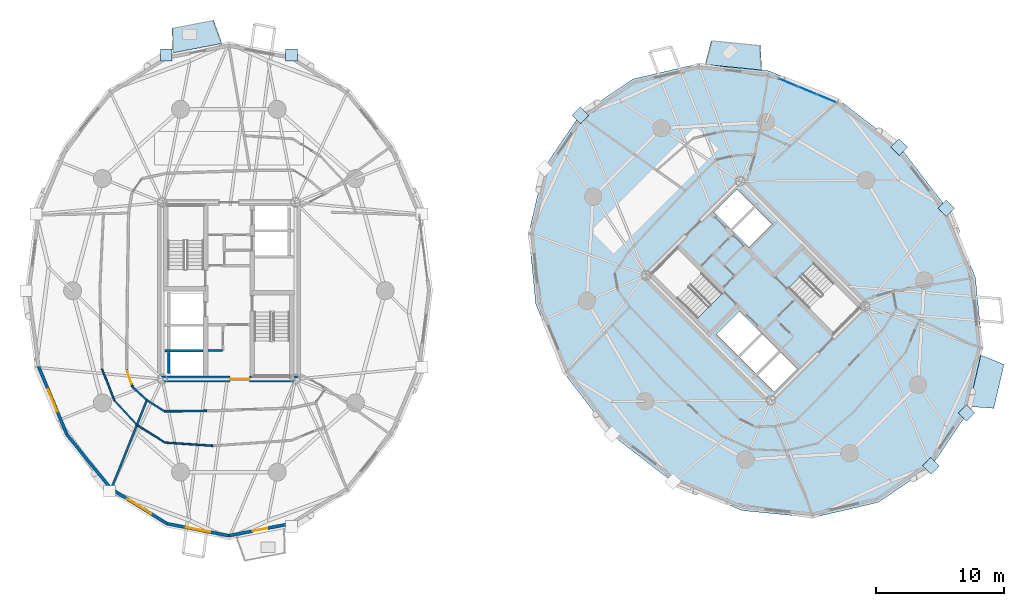
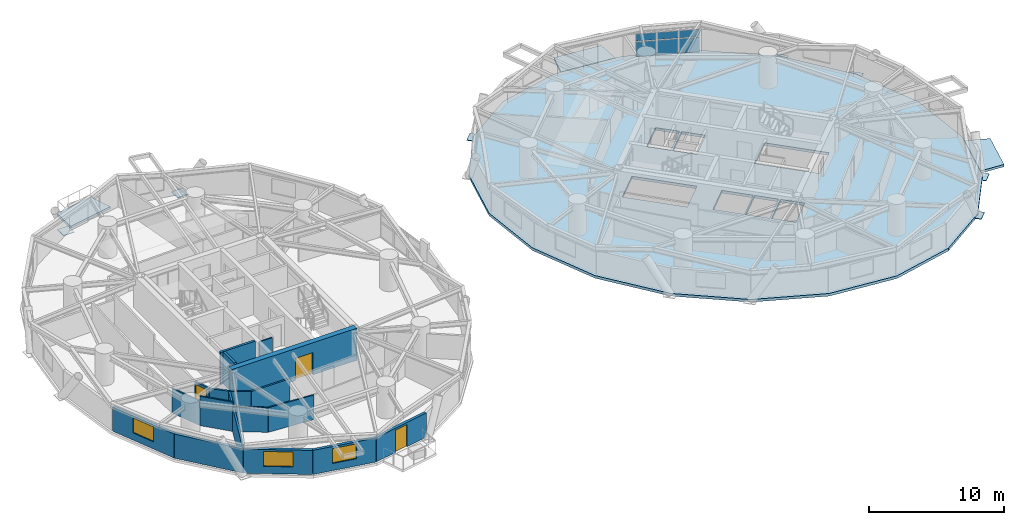
# One storey, part 9 of 18: 18 walls, 13 plates, 4 slabs, 3 doors, 3 windows, 6 openings, 1 element without a shape of its own.
"""IFC4 building model written with IfcOpenShell, lengths in metres."""

import ifcopenshell
import ifcopenshell.guid

model = None  # the IFC model being written
_history = None  # IfcOwnerHistory: only IFC2X3 demands one
_inside = {}  # id of a spatial element -> (the spatial element, [elements in it])
_under = {}  # id of a project, library or spatial element -> (it, [spatial elements below it])
_declared = {}  # id of a project -> (the project, [libraries it declares])
_typed = {}  # id of a type object -> (the type object, [elements of that type])
_made_of = {}  # id of a material, layer set ... -> (it, [elements and type objects made of it])


def new_model(schema):
    """Start an empty IFC model of exactly this schema.

    Asked for "IFC4X3", IfcOpenShell would pick the latest addendum, in which some entities
    have other attributes; the version numbers below select the first issue.
    IFC2X3 requires an IfcOwnerHistory on every rooted entity: one is made here for all.
    """
    global model, _history
    if schema == "IFC4X3":
        model = ifcopenshell.file(schema_version=(4, 3, 0, 0))
    else:
        model = ifcopenshell.file(schema=schema)
    _inside.clear()
    _under.clear()
    _declared.clear()
    _typed.clear()
    _made_of.clear()
    _history = None
    if model.schema == "IFC2X3":
        org = make("IfcOrganization", Name="unknown")
        user = make(
            "IfcPersonAndOrganization",
            ThePerson=make("IfcPerson", FamilyName="unknown"),
            TheOrganization=org,
        )
        app = make(
            "IfcApplication",
            ApplicationDeveloper=org,
            Version="unknown",
            ApplicationFullName="unknown",
            ApplicationIdentifier="unknown",
        )
        _history = make(
            "IfcOwnerHistory",
            OwningUser=user,
            OwningApplication=app,
            ChangeAction="ADDED",
            CreationDate=0,
        )
    return model


def make(cls, **values):
    """One entity of the class cls with the attributes given. An attribute that is None is left unset."""
    return model.create_entity(
        cls, **{name: value for name, value in values.items() if value is not None}
    )


def rooted(cls, **values):
    """An entity with a GlobalId (a new one), such as an element, a storey or a relation."""
    return make(cls, GlobalId=ifcopenshell.guid.new(), OwnerHistory=_history, **values)


def si_unit(unit_type, name, prefix=None):
    """IfcSIUnit, for example si_unit("LENGTHUNIT", "METRE", prefix="MILLI")."""
    return make("IfcSIUnit", UnitType=unit_type, Prefix=prefix, Name=name)


def assignment(units):
    """IfcUnitAssignment: the units of a project."""
    return None if units is None else make("IfcUnitAssignment", Units=units)


def point(xyz):
    """IfcCartesianPoint."""
    return None if xyz is None else make("IfcCartesianPoint", Coordinates=xyz)


def direction(xyz):
    """IfcDirection."""
    return None if xyz is None else make("IfcDirection", DirectionRatios=xyz)


def frame(location, z_axis=None, x_axis=None):
    """IfcAxis2Placement3D, a coordinate frame: its origin and axes. An axis left out is left unset."""
    return make(
        "IfcAxis2Placement3D",
        Location=point(location),
        Axis=direction(z_axis),
        RefDirection=direction(x_axis),
    )


def frame_2d(location, x_axis=None):
    """IfcAxis2Placement2D, a coordinate frame in the plane: its origin and x axis."""
    return make(
        "IfcAxis2Placement2D", Location=point(location), RefDirection=direction(x_axis)
    )


def origin():
    """The frame at (0, 0, 0) with its axes left unset."""
    return frame((0.0, 0.0, 0.0))


def origin_2d():
    """The frame at (0, 0) in the plane with its x axis left unset."""
    return frame_2d((0.0, 0.0))


def place(relative_to, where):
    """IfcLocalPlacement: puts the frame where relative to a parent placement (None: the world)."""
    return make(
        "IfcLocalPlacement", PlacementRelTo=relative_to, RelativePlacement=where
    )


def context(
    kind, dimensions, precision=None, world=None, true_north=None, identifier=None
):
    """IfcGeometricRepresentationContext, for example the 3D "Model" context."""
    return make(
        "IfcGeometricRepresentationContext",
        ContextIdentifier=identifier,
        ContextType=kind,
        CoordinateSpaceDimension=dimensions,
        Precision=precision,
        WorldCoordinateSystem=world,
        TrueNorth=true_north,
    )


def subcontext(parent, identifier, kind, view, scale=None):
    """IfcGeometricRepresentationSubContext, for example "Body" below "Model"."""
    return make(
        "IfcGeometricRepresentationSubContext",
        ContextIdentifier=identifier,
        ContextType=kind,
        ParentContext=parent,
        TargetScale=scale,
        TargetView=view,
    )


def project(units=None, contexts=None):
    """IfcProject with its units and contexts."""
    return rooted(
        "IfcProject",
        Name="project",
        RepresentationContexts=contexts,
        UnitsInContext=assignment(units),
    )


def spatial(cls, under=None, at=None, **own):
    """A site, building, storey or space (cls), placed at a placement, below another one or the project."""
    s = rooted(cls, ObjectPlacement=at, **own)
    if under is not None:
        _under.setdefault(under.id(), (under, []))[1].append(s)
    return s


def polyline(points):
    """IfcPolyline through the points."""
    return make("IfcPolyline", Points=[point(p) for p in points])


def profile(cls, at=None, kind="AREA", **sizes):
    """A parametric profile (cls). Its sizes go by their IFC names, for example OverallWidth=200.0."""
    return make(cls, ProfileType=kind, Position=at, **sizes)


def rectangle(**sizes):
    """IfcRectangleProfileDef."""
    return profile("IfcRectangleProfileDef", **sizes)


def outline(outer, holes=None, kind="AREA"):
    """IfcArbitraryClosedProfileDef: a profile drawn as a closed curve; with holes, ...WithVoids."""
    if holes is None:
        return make("IfcArbitraryClosedProfileDef", ProfileType=kind, OuterCurve=outer)
    return make(
        "IfcArbitraryProfileDefWithVoids",
        ProfileType=kind,
        OuterCurve=outer,
        InnerCurves=holes,
    )


def extrude(swept, where, along, depth):
    """IfcExtrudedAreaSolid: the profile swept, set in the frame where, extruded along a direction by depth."""
    return make(
        "IfcExtrudedAreaSolid",
        SweptArea=swept,
        Position=where,
        ExtrudedDirection=direction(along),
        Depth=depth,
    )


def shape(context_of_items, identifier, shape_type, items):
    """IfcShapeRepresentation: the items that make up one representation, for example the "Body"."""
    return make(
        "IfcShapeRepresentation",
        ContextOfItems=context_of_items,
        RepresentationIdentifier=identifier,
        RepresentationType=shape_type,
        Items=items,
    )


def source(mapping_origin, context_of_items, identifier, shape_type, items):
    """IfcRepresentationMap: a shape defined once, which mapped items show again and again."""
    return make(
        "IfcRepresentationMap",
        MappingOrigin=mapping_origin,
        MappedRepresentation=shape(context_of_items, identifier, shape_type, items),
    )


def transform(
    local_origin,
    x_axis=None,
    y_axis=None,
    z_axis=None,
    scale=None,
    scale2=None,
    scale3=None,
    uniform=True,
):
    """IfcCartesianTransformationOperator3D, or its non-uniform kind. x_axis, y_axis, z_axis: its Axis1, 2, 3."""
    if uniform:
        return make(
            "IfcCartesianTransformationOperator3D",
            Axis1=direction(x_axis),
            Axis2=direction(y_axis),
            LocalOrigin=point(local_origin),
            Scale=scale,
            Axis3=direction(z_axis),
        )
    return make(
        "IfcCartesianTransformationOperator3DnonUniform",
        Axis1=direction(x_axis),
        Axis2=direction(y_axis),
        LocalOrigin=point(local_origin),
        Scale=scale,
        Axis3=direction(z_axis),
        Scale2=scale2,
        Scale3=scale3,
    )


def mapped(mapping_source, mapping_target):
    """IfcMappedItem: shows the shape of a source again, moved by a transform."""
    return make(
        "IfcMappedItem", MappingSource=mapping_source, MappingTarget=mapping_target
    )


def material(Name=None, Category=None):
    """IfcMaterial."""
    return make("IfcMaterial", Name=Name, Category=Category)


def layer(
    of_material, thickness, ventilated=None, Name=None, Category=None, Priority=None
):
    """IfcMaterialLayer: one layer of a wall or slab, of a material (None: an air gap)."""
    return make(
        "IfcMaterialLayer",
        Material=of_material,
        LayerThickness=thickness,
        IsVentilated=ventilated,
        Name=Name,
        Category=Category,
        Priority=Priority,
    )


def layer_set(layers, Name=None):
    """IfcMaterialLayerSet."""
    return make("IfcMaterialLayerSet", MaterialLayers=layers, LayerSetName=Name)


def made_of(thing, what):
    """Note that an element or type object is made of a material, layer set ...; save() writes the relation."""
    if what is not None:
        _made_of.setdefault(what.id(), (what, []))[1].append(thing)
    return thing


def type_object(cls, material=None, **own):
    """A type object (cls), such as IfcWallType, which elements share."""
    return made_of(rooted(cls, **own), material)


def element(
    cls,
    number,
    at=None,
    inside=None,
    cuts=None,
    type_object=None,
    material=None,
    context=None,
    identifier="Body",
    shape_type=None,
    held_by="IfcProductDefinitionShape",
    body=None,
    shapes=None,
    **own,
):
    """One element of the class cls, such as IfcWall. Its Tag is "e" and its number.

    at: its placement. inside: the storey or other place that contains it. cuts: it is an
    opening in that element (IfcRelVoidsElement). A single representation is given by context,
    identifier, shape_type and body (its items); several are given by shapes. held_by: the class
    of the entity that holds the representations. save() writes the other relations.
    """
    e = rooted(cls, Tag="e%d" % number, ObjectPlacement=at, **own)
    if body is not None:
        shapes = [shape(context, identifier, shape_type, body)]
    if shapes is not None:
        e.Representation = make(held_by, Representations=shapes)
    if inside is not None:
        _inside.setdefault(inside.id(), (inside, []))[1].append(e)
    if cuts is not None:
        rooted(
            "IfcRelVoidsElement", RelatingBuildingElement=cuts, RelatedOpeningElement=e
        )
    if type_object is not None:
        _typed.setdefault(type_object.id(), (type_object, []))[1].append(e)
    return made_of(e, material)


def fill(opening, filler):
    """IfcRelFillsElement: the door or window that sits in an opening."""
    return rooted(
        "IfcRelFillsElement",
        RelatingOpeningElement=opening,
        RelatedBuildingElement=filler,
    )


def aggregate(whole, parts):
    """IfcRelAggregates: a whole, such as a stair, and the parts it consists of."""
    return rooted("IfcRelAggregates", RelatingObject=whole, RelatedObjects=parts)


def save(model, path):
    """Write the relations noted so far, then the file.

    IfcRelAggregates (storeys below a building ...), IfcRelContainedInSpatialStructure (elements
    in a storey), IfcRelDefinesByType, IfcRelAssociatesMaterial and IfcRelDeclares: one each for
    every whole, place, type object, material and project.
    """
    for whole, parts in _under.values():
        aggregate(whole, parts)
    for where, things in _inside.values():
        rooted(
            "IfcRelContainedInSpatialStructure",
            RelatedElements=things,
            RelatingStructure=where,
        )
    for kind, things in _typed.values():
        rooted("IfcRelDefinesByType", RelatedObjects=things, RelatingType=kind)
    for what, things in _made_of.values():
        rooted("IfcRelAssociatesMaterial", RelatedObjects=things, RelatingMaterial=what)
    for by, libraries in _declared.values():
        rooted("IfcRelDeclares", RelatingContext=by, RelatedDefinitions=libraries)
    model.write(path)


model = new_model("IFC4")

# Units and contexts
model_context = context("Model", 3, precision=1e-05, world=origin(), true_north=direction((0.0, 1.0)))
body_context = subcontext(model_context, "Body", "Model", "MODEL_VIEW")
ifc_project = project(units=[si_unit("LENGTHUNIT", "METRE"), si_unit("AREAUNIT", "SQUARE_METRE"), si_unit("VOLUMEUNIT", "CUBIC_METRE"), si_unit("PLANEANGLEUNIT", "RADIAN"), si_unit("MASSUNIT", "GRAM", prefix="KILO")], contexts=[model_context])

# Site, building, storey
site_placement = place(None, origin())
site = spatial("IfcSite", under=ifc_project, at=site_placement, CompositionType="ELEMENT")
building_placement = place(site_placement, origin())
building = spatial("IfcBuilding", under=site, at=building_placement, Name="Cununo Teusaquillo Station Towers", CompositionType="ELEMENT")
storey_placement = place(building_placement, frame((0.0, 0.0, 110.889892578125)))
storey = spatial("IfcBuildingStorey", under=building, at=storey_placement, Name="L35", CompositionType="ELEMENT", Elevation=110.889892578125)

# Slabs
ifc_material_1 = material(Name="Concrete C50/60", Category="concrete")
ifc_layer_1 = layer(ifc_material_1, 0.2099609375)
ifc_layer_set_1 = layer_set([ifc_layer_1], Name="Concrete C50/60")
slab_type_1 = type_object("IfcSlabType", Name="SLB-BAL-210", PredefinedType="FLOOR", material=ifc_layer_set_1)
slab_1_placement = place(storey_placement, frame((0.0, 0.0, -0.2099609375)))
element("IfcSlab", 1, at=slab_1_placement, inside=storey, type_object=slab_type_1, Name="L35 Tower A Tree Balcony Slab 1", PredefinedType="FLOOR", context=body_context, shape_type="SweptSolid", body=[
    extrude(outline(polyline([(15.958984375, 43.75048828125), (12.1376953125, 43.01220703125), (12.069091796875, 44.94921875), (15.30126953125, 45.573974609375), (15.958984375, 43.75048828125)])), origin(), (0.0, 0.0, 1.0), 0.2099609375),
])
slab_2_placement = place(storey_placement, frame((0.0, 0.0, -0.2099609375)))
element("IfcSlab", 2, at=slab_2_placement, inside=storey, type_object=slab_type_1, Name="L35 Tower B Tree Balcony Slab 1", PredefinedType="FLOOR", context=body_context, shape_type="SweptSolid", body=[
    extrude(outline(polyline([(57.984375, 41.675048828125), (53.57080078125, 42.1123046875), (54.05810546875, 43.988525390625), (57.87451171875, 43.6103515625), (57.984375, 41.675048828125)])), origin(), (0.0, 0.0, 1.0), 0.2099609375),
])
slab_3_placement = place(storey_placement, frame((0.0, 0.0, -0.2099609375)))
element("IfcSlab", 3, at=slab_3_placement, inside=storey, type_object=slab_type_1, Name="L35 Tower B Tree Balcony Slab 2", PredefinedType="FLOOR", context=body_context, shape_type="SweptSolid", body=[
    extrude(outline(polyline([(74.1083984375, 15.4873046875), (75.04150390625, 19.486083984375), (76.83837890625, 18.7587890625), (76.04150390625, 15.344482421875), (74.1083984375, 15.4873046875)])), origin(), (0.0, 0.0, 1.0), 0.2099609375),
])
ifc_material_2 = material(Name="Concrete C40/50", Category="concrete")
ifc_layer_2 = layer(ifc_material_2, 0.239990234375)
ifc_layer_set_2 = layer_set([ifc_layer_2], Name="Concrete C40/50")
slab_type_2 = type_object("IfcSlabType", Name="SLB-Z2-240", PredefinedType="FLOOR", material=ifc_layer_set_2)
slab_4_placement = place(storey_placement, frame((0.0, 0.0, -0.239990234375)))
element("IfcSlab", 4, at=slab_4_placement, inside=storey, type_object=slab_type_2, Name="L35 Tower B Floor Slab", PredefinedType="FLOOR", context=body_context, shape_type="SweptSolid", body=[
    extrude(outline(polyline([(68.71533203125, 35.71533203125), (63.938232421875, 39.39453125), (58.531005859375, 41.61572265625), (53.02294921875, 42.16162109375), (47.952880859375, 40.978515625), (43.8173828125, 38.1826171875), (41.021484375, 34.047119140625), (39.83837890625, 28.97705078125), (40.38427734375, 23.468994140625), (42.60546875, 18.061767578125), (46.28466796875, 13.28466796875), (51.061767578125, 9.60546875), (56.468994140625, 7.38427734375), (61.97705078125, 6.83837890625), (67.047119140625, 8.021484375), (71.1826171875, 10.8173828125), (73.978515625, 14.952880859375), (75.16162109375, 20.02294921875), (74.61572265625, 25.531005859375), (72.39453125, 30.938232421875), (68.71533203125, 35.71533203125)]), holes=[polyline([(54.914794921875, 24.28515625), (51.390625, 27.809326171875), (49.43896484375, 25.857666015625), (52.963134765625, 22.33349609375), (54.914794921875, 24.28515625)]), polyline([(60.085205078125, 24.71484375), (63.609375, 21.190673828125), (65.56103515625, 23.142333984375), (62.036865234375, 26.66650390625), (60.085205078125, 24.71484375)]), polyline([(56.156494140625, 19.40869140625), (57.945556640625, 21.19775390625), (56.248291015625, 22.89501953125), (54.45947265625, 21.10595703125), (56.156494140625, 19.40869140625)]), polyline([(58.94970703125, 16.61572265625), (60.738525390625, 18.40478515625), (59.430419921875, 19.712890625), (57.641357421875, 17.923828125), (58.94970703125, 16.61572265625)]), polyline([(57.535400390625, 18.030029296875), (59.32421875, 19.819091796875), (58.01611328125, 21.127197265625), (56.227294921875, 19.338134765625), (57.535400390625, 18.030029296875)]), polyline([(56.98388671875, 27.872802734375), (58.772705078125, 29.661865234375), (57.464599609375, 30.969970703125), (55.67578125, 29.180908203125), (56.98388671875, 27.872802734375)]), polyline([(55.569580078125, 29.287109375), (57.358642578125, 31.076171875), (56.05029296875, 32.38427734375), (54.261474609375, 30.59521484375), (55.569580078125, 29.287109375)])]), origin(), (0.0, 0.0, 1.0), 0.239990234375),
])

# Plates
ifc_material_3 = material(Name="Steel ASTM A572 Grade 50", Category="steel")
ifc_layer_3 = layer(ifc_material_3, 0.050048828125)
ifc_layer_set_3 = layer_set([ifc_layer_3], Name="Steel ASTM A572 Grade 50")
plate_type_1 = type_object("IfcPlateType", Name="PLT-NODE-DN1", PredefinedType="USERDEFINED", material=ifc_layer_set_3)
shared_shape_1 = source(origin(), body_context, "Body", "SweptSolid", [
    extrude(rectangle(XDim=0.919921875, YDim=0.919921875, at=origin_2d()), origin(), (0.0, 0.0, 1.0), 0.050048828125),
])
for number, where, z_axis, x_axis, name in (
    (5, (21.3828125, 42.845947265625, -0.1650390625), (0.0, 0.0, 1.0), (1.0, 0.0, 0.0), "L35 Tower A Diagrid Node Assembly C03"),
    (6, (11.6171875, 42.845947265625, -0.1650390625), (0.0, 0.0, 1.0), (1.0, 0.0, 0.0), "L35 Tower A Diagrid Node Assembly C06"),
    (7, (68.673095703125, 35.673095703125, -0.1650390625), (0.0, 0.0, 1.0), (0.707106781187, 0.707106781187, 0.0), "L35 Tower B Diagrid Node Assembly C00"),
    (8, (43.85986328125, 38.14013671875, -0.1650390625), (0.0, 0.0, 1.0), (0.707106781187, 0.707106781187, 0.0), "L35 Tower B Diagrid Node Assembly C04"),
    (9, (71.14013671875, 10.85986328125, -0.1650390625), (0.0, 0.0, 1.0), (0.707106781187, 0.707106781187, 0.0), "L35 Tower B Diagrid Node Assembly C14"),
    (10, (73.92529296875, 14.980224609375, -0.1650390625), (0.0, 0.0, 1.0), (0.707106781187, 0.707106781187, 0.0), "L35 Tower B Diagrid Node Assembly C16"),
    (11, (72.341064453125, 30.9111328125, -0.1650390625), (0.0, 0.0, 1.0), (0.707106781187, 0.707106781187, 0.0), "L35 Tower B Diagrid Node Assembly C18"),
):
    element("IfcPlate", number, at=place(storey_placement, frame(where, z_axis=z_axis, x_axis=x_axis)), inside=storey, type_object=plate_type_1, Name=name, ObjectType="GUSSET PLATE", PredefinedType="USERDEFINED", context=body_context, shape_type="MappedRepresentation", body=[
        mapped(shared_shape_1, transform((0.0, 0.0, 0.0), x_axis=(1.0, 0.0, 0.0), y_axis=(0.0, 1.0, 0.0), z_axis=(0.0, 0.0, 1.0), scale=1.0)),
    ])

# Curtain wall, plates
ifc_material_4 = material(Name="Ceramic-fritted dark low-E double glazing", Category="glass")
ifc_layer_4 = layer(ifc_material_4, 0.179931640625)
ifc_layer_set_4 = layer_set([ifc_layer_4], Name="Ceramic-fritted dark low-E double glazing")
curtain_wall_type = type_object("IfcCurtainWallType", Name="CW-SYS-04", PredefinedType="USERDEFINED", material=ifc_layer_set_4)
curtain_wall_placement = place(storey_placement, origin())
curtain_wall = element("IfcCurtainWall", 12, at=curtain_wall_placement, inside=storey, type_object=curtain_wall_type, Name="L35 Tower B Facade Curtain Wall C01", ObjectType="FRITTED GLAZING", PredefinedType="USERDEFINED")
ifc_material_5 = material(Name="Ceramic-fritted dark low-E double glazing", Category="glass")
ifc_layer_5 = layer(ifc_material_5, 0.028076171875)
ifc_layer_set_5 = layer_set([ifc_layer_5], Name="Ceramic-fritted dark low-E double glazing")
plate_type_2 = type_object("IfcPlateType", Name="CWP-FRIT-28", PredefinedType="CURTAIN_PANEL", material=ifc_layer_set_5)
shared_shape_2 = source(origin(), body_context, "Body", "SweptSolid", [
    extrude(rectangle(XDim=1.531005859375, YDim=0.028076171875, at=origin_2d()), origin(), (0.0, 0.0, 1.0), 1.31103515625),
])
plate_1_placement = place(storey_placement, frame((60.045654296875, 40.697021484375, 0.070068359375), z_axis=(0.0, 0.0, 1.0), x_axis=(0.924562443652, -0.381030560176, 0.0)))
plate_1 = element("IfcPlate", 13, at=plate_1_placement, type_object=plate_type_2, Name="CW-04 panel 1.1", PredefinedType="CURTAIN_PANEL", context=body_context, shape_type="MappedRepresentation", body=[
    mapped(shared_shape_2, transform((0.0, 0.0, 0.0), x_axis=(1.0, 0.0, 0.0), y_axis=(0.0, 1.0, 0.0), z_axis=(0.0, 0.0, 1.0), scale=1.0)),
])
plate_2_placement = place(storey_placement, frame((63.03857421875, 39.463623046875, 0.070068359375), z_axis=(0.0, 0.0, 1.0), x_axis=(0.924562443652, -0.381030560176, 0.0)))
plate_2 = element("IfcPlate", 14, at=plate_2_placement, type_object=plate_type_2, Name="CW-04 panel 3.1", PredefinedType="CURTAIN_PANEL", context=body_context, shape_type="MappedRepresentation", body=[
    mapped(shared_shape_2, transform((0.0, 0.0, 0.0), x_axis=(1.0, 0.0, 0.0), y_axis=(0.0, 1.0, 0.0), z_axis=(0.0, 0.0, 1.0), scale=1.0)),
])
shared_shape_3 = source(origin(), body_context, "Body", "SweptSolid", [
    extrude(rectangle(XDim=1.531005859375, YDim=0.028076171875, at=origin_2d()), origin(), (0.0, 0.0, 1.0), 0.657958984375),
])
plate_3_placement = place(storey_placement, frame((60.045654296875, 40.697021484375, 1.451171875), z_axis=(0.0, 0.0, 1.0), x_axis=(0.924562443652, -0.381030560176, 0.0)))
plate_3 = element("IfcPlate", 15, at=plate_3_placement, type_object=plate_type_2, Name="CW-04 panel 1.2", PredefinedType="CURTAIN_PANEL", context=body_context, shape_type="MappedRepresentation", body=[
    mapped(shared_shape_3, transform((0.0, 0.0, 0.0), x_axis=(1.0, 0.0, 0.0), y_axis=(0.0, 1.0, 0.0), z_axis=(0.0, 0.0, 1.0), scale=1.0)),
])
plate_4_placement = place(storey_placement, frame((63.03857421875, 39.463623046875, 1.451171875), z_axis=(0.0, 0.0, 1.0), x_axis=(0.924562443652, -0.381030560176, 0.0)))
plate_4 = element("IfcPlate", 16, at=plate_4_placement, type_object=plate_type_2, Name="CW-04 panel 3.2", PredefinedType="CURTAIN_PANEL", context=body_context, shape_type="MappedRepresentation", body=[
    mapped(shared_shape_3, transform((0.0, 0.0, 0.0), x_axis=(1.0, 0.0, 0.0), y_axis=(0.0, 1.0, 0.0), z_axis=(0.0, 0.0, 1.0), scale=1.0)),
])
shared_shape_4 = source(origin(), body_context, "Body", "SweptSolid", [
    extrude(rectangle(XDim=1.566162109375, YDim=0.028076171875, at=origin_2d()), origin(), (0.0, 0.0, 1.0), 1.31103515625),
])
plate_5_placement = place(storey_placement, frame((61.542236328125, 40.080322265625, 0.070068359375), z_axis=(0.0, 0.0, 1.0), x_axis=(0.924562443652, -0.381030560176, 0.0)))
plate_5 = element("IfcPlate", 17, at=plate_5_placement, type_object=plate_type_2, Name="CW-04 panel 2.1", PredefinedType="CURTAIN_PANEL", context=body_context, shape_type="MappedRepresentation", body=[
    mapped(shared_shape_4, transform((0.0, 0.0, 0.0), x_axis=(1.0, 0.0, 0.0), y_axis=(0.0, 1.0, 0.0), z_axis=(0.0, 0.0, 1.0), scale=1.0)),
])
shared_shape_5 = source(origin(), body_context, "Body", "SweptSolid", [
    extrude(rectangle(XDim=1.566162109375, YDim=0.028076171875, at=origin_2d()), origin(), (0.0, 0.0, 1.0), 0.657958984375),
])
plate_6_placement = place(storey_placement, frame((61.542236328125, 40.080322265625, 1.451171875), z_axis=(0.0, 0.0, 1.0), x_axis=(0.924562443652, -0.381030560176, 0.0)))
plate_6 = element("IfcPlate", 18, at=plate_6_placement, type_object=plate_type_2, Name="CW-04 panel 2.2", PredefinedType="CURTAIN_PANEL", context=body_context, shape_type="MappedRepresentation", body=[
    mapped(shared_shape_5, transform((0.0, 0.0, 0.0), x_axis=(1.0, 0.0, 0.0), y_axis=(0.0, 1.0, 0.0), z_axis=(0.0, 0.0, 1.0), scale=1.0)),
])
aggregate(curtain_wall, [plate_1, plate_3, plate_5, plate_6, plate_2, plate_4])

# Walls
ifc_material_6 = material(Name="Concrete C50/60", Category="concrete")
ifc_layer_6 = layer(ifc_material_6, 0.199951171875)
ifc_layer_set_6 = layer_set([ifc_layer_6], Name="Concrete C50/60")
wall_type_1 = type_object("IfcWallType", Name="WL-CORE-200", PredefinedType="SHEAR", material=ifc_layer_set_6)
wall_1_placement = place(storey_placement, frame((11.52001953125, 19.824951171875, 0.0), z_axis=(0.0, 0.0, 1.0), x_axis=(1.0, 0.0, 0.0)))
element("IfcWall", 19, at=wall_1_placement, inside=storey, type_object=wall_type_1, Name="L35 Tower A High-Rise Lift Hoistway Divider Shear Wall", PredefinedType="SHEAR", context=body_context, shape_type="SweptSolid", body=[
    extrude(rectangle(XDim=2.969970703125, YDim=0.199951171875, at=frame_2d((1.48486328125, 0.0))), origin(), (0.0, 0.0, 1.0), 2.91015625),
])
wall_2_placement = place(storey_placement, frame((11.820068359375, 18.070068359375, 0.0), z_axis=(0.0, 0.0, 1.0), x_axis=(0.0, 1.0, 0.0)))
element("IfcWall", 20, at=wall_2_placement, inside=storey, type_object=wall_type_1, Name="L35 Tower A High-Rise Lift 1 Shaft Rear Shear Wall", PredefinedType="SHEAR", context=body_context, shape_type="SweptSolid", body=[
    extrude(rectangle(XDim=1.635009765625, YDim=0.199951171875, at=frame_2d((0.8173828125, 0.0))), origin(), (0.0, 0.0, 1.0), 2.91015625),
])

# Wall, opening, door
ifc_material_7 = material(Name="Concrete C60/75", Category="concrete")
ifc_layer_7 = layer(ifc_material_7, 0.449951171875)
ifc_layer_set_7 = layer_set([ifc_layer_7], Name="Concrete C60/75")
wall_type_2 = type_object("IfcWallType", Name="WL-CORE-450", PredefinedType="SHEAR", material=ifc_layer_set_7)
wall_3_placement = place(storey_placement, frame((11.14990234375, 17.625, 0.0), z_axis=(0.0, 0.0, 1.0), x_axis=(1.0, 0.0, 0.0)))
wall_3 = element("IfcWall", 21, at=wall_3_placement, inside=storey, type_object=wall_type_2, Name="L35 Tower A Core Shear Wall S", PredefinedType="SHEAR", context=body_context, shape_type="SweptSolid", body=[
    extrude(rectangle(XDim=10.7001953125, YDim=0.449951171875, at=frame_2d((5.35009765625, 0.0))), origin(), (0.0, 0.0, 1.0), 2.91015625),
])
shared_shape_6 = source(origin(), body_context, "Body", "SweptSolid", [
    extrude(rectangle(XDim=1.5, YDim=2.02001953125, at=frame_2d((0.75, 1.010009765625))), frame((0.0, 0.23486328125, 0.0), z_axis=(0.0, -1.0, 0.0), x_axis=(1.0, 0.0, 0.0)), (0.0, 0.0, 1.0), 0.469970703125),
])
opening_1_placement = place(wall_3_placement, frame((5.449951171875, 0.0, 0.0)))
opening_1 = element("IfcOpeningElement", 22, at=opening_1_placement, cuts=wall_3, Name="Opening D-LB1", PredefinedType="OPENING", context=body_context, shape_type="MappedRepresentation", body=[
    mapped(shared_shape_6, transform((0.0, 0.0, 0.0), x_axis=(1.0, 0.0, 0.0), y_axis=(0.0, 1.0, 0.0), z_axis=(0.0, 0.0, 1.0), scale=1.0)),
])
ifc_material_8 = material(Name="Galvanised fire-rated hollow steel door assembly", Category="steel")
door_type_1 = type_object("IfcDoorType", Name="DR-LOBBY-1500", OperationType="DOUBLE_DOOR_SINGLE_SWING", PredefinedType="DOOR", material=ifc_material_8)
shared_shape_7 = source(origin(), body_context, "Body", "SweptSolid", [
    extrude(rectangle(XDim=1.5, YDim=2.02001953125, at=frame_2d((0.75, 1.010009765625))), frame((0.0, 0.02490234375, 0.0), z_axis=(0.0, -1.0, 0.0), x_axis=(1.0, 0.0, 0.0)), (0.0, 0.0, 1.0), 0.050048828125),
])
door_1_placement = place(opening_1_placement, origin())
door_1 = element("IfcDoor", 23, at=door_1_placement, inside=storey, type_object=door_type_1, Name="L35 Tower A South Core Lift Lobby Door", OperationType="DOUBLE_DOOR_SINGLE_SWING", OverallHeight=2.02001953125, OverallWidth=1.5, PredefinedType="DOOR", context=body_context, shape_type="MappedRepresentation", body=[
    mapped(shared_shape_7, transform((0.0, 0.0, 0.0), x_axis=(1.0, 0.0, 0.0), y_axis=(0.0, 1.0, 0.0), z_axis=(0.0, 0.0, 1.0), scale=1.0)),
])
fill(opening_1, door_1)

# Wall, opening, window
ifc_material_9 = material(Name="Precast concrete C40/50", Category="concrete")
ifc_layer_8 = layer(ifc_material_9, 0.239990234375)
ifc_layer_set_8 = layer_set([ifc_layer_8], Name="Precast concrete C40/50")
wall_type_3 = type_object("IfcWallType", Name="WL-EXT-240", PredefinedType="SOLIDWALL", material=ifc_layer_set_8)
wall_4_placement = place(storey_placement, frame((3.894775390625, 13.291015625, 0.0), z_axis=(0.0, 0.0, 1.0), x_axis=(-0.384344417632, 0.923189779317, 0.0)))
wall_4 = element("IfcWall", 24, at=wall_4_placement, inside=storey, type_object=wall_type_3, Name="L35 Tower A Exterior Facade Wall C11", PredefinedType="SOLIDWALL", context=body_context, shape_type="SweptSolid", body=[
    extrude(rectangle(XDim=5.75830078125, YDim=0.239990234375, at=frame_2d((2.879150390625, 0.0))), origin(), (0.0, 0.0, 1.0), 2.17919921875),
])
shared_shape_8 = source(origin(), body_context, "Body", "SweptSolid", [
    extrude(rectangle(XDim=1.89990234375, YDim=1.35009765625, at=frame_2d((0.949951171875, 0.675048828125))), frame((0.0, 0.1298828125, 0.0), z_axis=(0.0, -1.0, 0.0), x_axis=(1.0, 0.0, 0.0)), (0.0, 0.0, 1.0), 0.260009765625),
])
opening_2_placement = place(wall_4_placement, frame((1.928955078125, 0.0, 0.64990234375)))
opening_2 = element("IfcOpeningElement", 25, at=opening_2_placement, cuts=wall_4, Name="Opening WN-02", PredefinedType="OPENING", context=body_context, shape_type="MappedRepresentation", body=[
    mapped(shared_shape_8, transform((0.0, 0.0, 0.0), x_axis=(1.0, 0.0, 0.0), y_axis=(0.0, 1.0, 0.0), z_axis=(0.0, 0.0, 1.0), scale=1.0)),
])
ifc_material_10 = material(Name="Operable acoustic tinted low-E double glazing", Category="glass")
window_type_1 = type_object("IfcWindowType", Name="WIN-OPER-1900", PartitioningType="DOUBLE_PANEL_VERTICAL", PredefinedType="WINDOW", material=ifc_material_10)
shared_shape_9 = source(origin(), body_context, "Body", "SweptSolid", [
    extrude(rectangle(XDim=1.89990234375, YDim=1.35009765625, at=frame_2d((0.949951171875, 0.675048828125))), frame((0.0, 0.030029296875, 0.0), z_axis=(0.0, -1.0, 0.0), x_axis=(1.0, 0.0, 0.0)), (0.0, 0.0, 1.0), 0.06005859375),
])
window_1_placement = place(opening_2_placement, origin())
window_1 = element("IfcWindow", 26, at=window_1_placement, inside=storey, type_object=window_type_1, Name="L35 Tower A Facade Window C11", OverallHeight=1.35009765625, OverallWidth=1.89990234375, PartitioningType="DOUBLE_PANEL_VERTICAL", PredefinedType="WINDOW", context=body_context, shape_type="MappedRepresentation", body=[
    mapped(shared_shape_9, transform((0.0, 0.0, 0.0), x_axis=(1.0, 0.0, 0.0), y_axis=(0.0, 1.0, 0.0), z_axis=(0.0, 0.0, 1.0), scale=1.0)),
])
fill(opening_2, window_1)

# Wall
wall_5_placement = place(storey_placement, frame((7.341796875, 9.072021484375, 0.0), z_axis=(0.0, 0.0, 1.0), x_axis=(-0.632700781152, 0.77439635945, 0.0)))
element("IfcWall", 27, at=wall_5_placement, inside=storey, type_object=wall_type_3, Name="L35 Tower A Exterior Facade Wall C12", PredefinedType="SOLIDWALL", context=body_context, shape_type="SweptSolid", body=[
    extrude(rectangle(XDim=5.447998046875, YDim=0.239990234375, at=frame_2d((2.72412109375, 0.0))), origin(), (0.0, 0.0, 1.0), 2.17919921875),
])

# Wall, opening, window
wall_6_placement = place(storey_placement, frame((11.685302734375, 6.36328125, 0.0), z_axis=(0.0, 0.0, 1.0), x_axis=(-0.848520380187, 0.529162701263, 0.0)))
wall_6 = element("IfcWall", 28, at=wall_6_placement, inside=storey, type_object=wall_type_3, Name="L35 Tower A Exterior Facade Wall C13", PredefinedType="SOLIDWALL", context=body_context, shape_type="SweptSolid", body=[
    extrude(rectangle(XDim=5.118896484375, YDim=0.239990234375, at=frame_2d((2.5595703125, 0.0))), origin(), (0.0, 0.0, 1.0), 2.17919921875),
])
shared_shape_10 = source(origin(), body_context, "Body", "SweptSolid", [
    extrude(rectangle(XDim=2.199951171875, YDim=1.35009765625, at=frame_2d((1.10009765625, 0.675048828125))), frame((0.0, 0.1298828125, 0.0), z_axis=(0.0, -1.0, 0.0), x_axis=(1.0, 0.0, 0.0)), (0.0, 0.0, 1.0), 0.260009765625),
])
opening_3_placement = place(wall_6_placement, frame((1.458984375, 0.0, 0.64990234375)))
opening_3 = element("IfcOpeningElement", 29, at=opening_3_placement, cuts=wall_6, Name="Opening WN-01", PredefinedType="OPENING", context=body_context, shape_type="MappedRepresentation", body=[
    mapped(shared_shape_10, transform((0.0, 0.0, 0.0), x_axis=(1.0, 0.0, 0.0), y_axis=(0.0, 1.0, 0.0), z_axis=(0.0, 0.0, 1.0), scale=1.0)),
])
ifc_material_11 = material(Name="Ceramic-fritted dark low-E double glazing", Category="glass")
window_type_2 = type_object("IfcWindowType", Name="WIN-FRIT-2200", PartitioningType="DOUBLE_PANEL_VERTICAL", PredefinedType="WINDOW", material=ifc_material_11)
shared_shape_11 = source(origin(), body_context, "Body", "SweptSolid", [
    extrude(rectangle(XDim=2.199951171875, YDim=1.35009765625, at=frame_2d((1.10009765625, 0.675048828125))), frame((0.0, 0.030029296875, 0.0), z_axis=(0.0, -1.0, 0.0), x_axis=(1.0, 0.0, 0.0)), (0.0, 0.0, 1.0), 0.06005859375),
])
window_2_placement = place(opening_3_placement, origin())
window_2 = element("IfcWindow", 30, at=window_2_placement, inside=storey, type_object=window_type_2, Name="L35 Tower A Facade Window C13", OverallHeight=1.35009765625, OverallWidth=2.199951171875, PartitioningType="DOUBLE_PANEL_VERTICAL", PredefinedType="WINDOW", context=body_context, shape_type="MappedRepresentation", body=[
    mapped(shared_shape_11, transform((0.0, 0.0, 0.0), x_axis=(1.0, 0.0, 0.0), y_axis=(0.0, 1.0, 0.0), z_axis=(0.0, 0.0, 1.0), scale=1.0)),
])
fill(opening_3, window_2)

wall_7_placement = place(storey_placement, frame((16.5, 5.429931640625, 0.0), z_axis=(0.0, 0.0, 1.0), x_axis=(-0.981723785992, 0.190311344954, 0.0)))
wall_7 = element("IfcWall", 31, at=wall_7_placement, inside=storey, type_object=wall_type_3, Name="L35 Tower A Exterior Facade Wall C14", PredefinedType="SOLIDWALL", context=body_context, shape_type="SweptSolid", body=[
    extrude(rectangle(XDim=4.904296875, YDim=0.239990234375, at=frame_2d((2.4521484375, 0.0))), origin(), (0.0, 0.0, 1.0), 2.17919921875),
])
opening_4_placement = place(wall_7_placement, frame((1.501953125, 0.0, 0.64990234375)))
opening_4 = element("IfcOpeningElement", 32, at=opening_4_placement, cuts=wall_7, Name="Opening WN-02", PredefinedType="OPENING", context=body_context, shape_type="MappedRepresentation", body=[
    mapped(shared_shape_8, transform((0.0, 0.0, 0.0), x_axis=(1.0, 0.0, 0.0), y_axis=(0.0, 1.0, 0.0), z_axis=(0.0, 0.0, 1.0), scale=1.0)),
])
window_3_placement = place(opening_4_placement, origin())
window_3 = element("IfcWindow", 33, at=window_3_placement, inside=storey, type_object=window_type_1, Name="L35 Tower A Facade Window C14", OverallHeight=1.35009765625, OverallWidth=1.89990234375, PartitioningType="DOUBLE_PANEL_VERTICAL", PredefinedType="WINDOW", context=body_context, shape_type="MappedRepresentation", body=[
    mapped(shared_shape_9, transform((0.0, 0.0, 0.0), x_axis=(1.0, 0.0, 0.0), y_axis=(0.0, 1.0, 0.0), z_axis=(0.0, 0.0, 1.0), scale=1.0)),
])
fill(opening_4, window_3)

# Wall, opening, door
wall_8_placement = place(storey_placement, frame((21.314697265625, 6.36328125, 0.0), z_axis=(0.0, 0.0, 1.0), x_axis=(-0.981723785992, -0.190311344954, 0.0)))
wall_8 = element("IfcWall", 34, at=wall_8_placement, inside=storey, type_object=wall_type_3, Name="L35 Tower A Exterior Facade Wall C15", PredefinedType="SOLIDWALL", context=body_context, shape_type="SweptSolid", body=[
    extrude(rectangle(XDim=4.904296875, YDim=0.239990234375, at=frame_2d((2.4521484375, 0.0))), origin(), (0.0, 0.0, 1.0), 2.17919921875),
])
shared_shape_12 = source(origin(), body_context, "Body", "SweptSolid", [
    extrude(rectangle(XDim=1.14990234375, YDim=2.0048828125, at=frame_2d((0.574951171875, 1.00244140625))), frame((0.0, 0.1298828125, 0.0), z_axis=(0.0, -1.0, 0.0), x_axis=(1.0, 0.0, 0.0)), (0.0, 0.0, 1.0), 0.260009765625),
])
opening_5_placement = place(wall_8_placement, frame((1.876953125, 0.0, 0.0)))
opening_5 = element("IfcOpeningElement", 35, at=opening_5_placement, cuts=wall_8, Name="Opening ED-03", PredefinedType="OPENING", context=body_context, shape_type="MappedRepresentation", body=[
    mapped(shared_shape_12, transform((0.0, 0.0, 0.0), x_axis=(1.0, 0.0, 0.0), y_axis=(0.0, 1.0, 0.0), z_axis=(0.0, 0.0, 1.0), scale=1.0)),
])
ifc_material_12 = material(Name="Anodised dark bronze aluminium EN AW-6063-T6", Category="aluminium")
door_type_2 = type_object("IfcDoorType", Name="DR-EXT-BAL", OperationType="NOTDEFINED", PredefinedType="DOOR", material=ifc_material_12)
shared_shape_13 = source(origin(), body_context, "Body", "SweptSolid", [
    extrude(rectangle(XDim=1.14990234375, YDim=2.0048828125, at=frame_2d((0.574951171875, 1.00244140625))), frame((0.0, 0.02490234375, 0.0), z_axis=(0.0, -1.0, 0.0), x_axis=(1.0, 0.0, 0.0)), (0.0, 0.0, 1.0), 0.050048828125),
])
door_2_placement = place(opening_5_placement, origin())
door_2 = element("IfcDoor", 36, at=door_2_placement, inside=storey, type_object=door_type_2, Name="L35 Tower A Tree Balcony Door C15", OperationType="SINGLE_SWING_LEFT", OverallHeight=2.0048828125, OverallWidth=1.14990234375, PredefinedType="DOOR", context=body_context, shape_type="MappedRepresentation", body=[
    mapped(shared_shape_13, transform((0.0, 0.0, 0.0), x_axis=(1.0, 0.0, 0.0), y_axis=(0.0, 1.0, 0.0), z_axis=(0.0, 0.0, 1.0), scale=1.0)),
])
fill(opening_5, door_2)

# Walls
ifc_material_13 = material(Name="Fire-rated gypsum plasterboard partition assembly", Category="gypsum")
ifc_layer_9 = layer(ifc_material_13, 0.125)
ifc_layer_set_9 = layer_set([ifc_layer_9], Name="Fire-rated gypsum plasterboard partition assembly")
wall_type_4 = type_object("IfcWallType", Name="WL-PART-125", PredefinedType="PARTITIONING", material=ifc_layer_set_9)
wall_9_placement = place(storey_placement, frame((14.8798828125, 19.85009765625, 0.0), z_axis=(0.0, 0.0, 1.0), x_axis=(1.0, 0.0, 0.0)))
element("IfcWall", 37, at=wall_9_placement, inside=storey, type_object=wall_type_4, Name="L35 Tower A North-West Lobby Store South Wall", PredefinedType="PARTITIONING", context=body_context, shape_type="SweptSolid", body=[
    extrude(rectangle(XDim=1.10009765625, YDim=0.125, at=frame_2d((0.550048828125, 0.0))), origin(), (0.0, 0.0, 1.0), 2.655029296875),
])
wall_10_placement = place(storey_placement, frame((6.623779296875, 18.4150390625, 0.0), z_axis=(0.0, 0.0, 1.0), x_axis=(0.363854295337, -0.931455877519, 0.0)))
element("IfcWall", 38, at=wall_10_placement, inside=storey, type_object=wall_type_4, Name="L35 Tower A Ambassadorial Executive Office Concentric Partition Wall C11", PredefinedType="PARTITIONING", context=body_context, shape_type="SweptSolid", body=[
    extrude(rectangle(XDim=2.635009765625, YDim=0.125, at=frame_2d((1.3173828125, 0.0))), origin(), (0.0, 0.0, 1.0), 2.22509765625),
])
wall_11_placement = place(storey_placement, frame((7.58251953125, 15.960693359375, 0.0), z_axis=(0.0, 0.0, 1.0), x_axis=(0.677838563189, -0.735210774032, 0.0)))
element("IfcWall", 39, at=wall_11_placement, inside=storey, type_object=wall_type_4, Name="L35 Tower A Ambassadorial Executive Office Concentric Partition Wall C12", PredefinedType="PARTITIONING", context=body_context, shape_type="SweptSolid", body=[
    extrude(rectangle(XDim=2.595703125, YDim=0.125, at=frame_2d((1.2978515625, 0.0))), origin(), (0.0, 0.0, 1.0), 2.655029296875),
])
wall_12_placement = place(storey_placement, frame((9.342041015625, 14.05224609375, 0.0), z_axis=(0.0, 0.0, 1.0), x_axis=(0.846526826244, -0.532346064557, 0.0)))
element("IfcWall", 40, at=wall_12_placement, inside=storey, type_object=wall_type_4, Name="L35 Tower A Cultural Attache Workplace Concentric Partition Wall C13", PredefinedType="PARTITIONING", context=body_context, shape_type="SweptSolid", body=[
    extrude(rectangle(XDim=2.578369140625, YDim=0.125, at=frame_2d((1.2890625, 0.0))), origin(), (0.0, 0.0, 1.0), 2.22509765625),
])
wall_13_placement = place(storey_placement, frame((11.524658203125, 12.6796875, 0.0), z_axis=(0.0, 0.0, 1.0), x_axis=(0.997726815836, -0.067388433443, 0.0)))
element("IfcWall", 41, at=wall_13_placement, inside=storey, type_object=wall_type_4, Name="L35 Tower A Cultural Attache Workplace Concentric Partition Wall C14", PredefinedType="PARTITIONING", context=body_context, shape_type="SweptSolid", body=[
    extrude(rectangle(XDim=3.74609375, YDim=0.125, at=frame_2d((1.873046875, 0.0))), origin(), (0.0, 0.0, 1.0), 2.22509765625),
])

# Wall, opening, door
ifc_material_14 = material(Name="Fire-rated gypsum plasterboard partition assembly", Category="gypsum")
ifc_layer_10 = layer(ifc_material_14, 0.14990234375)
ifc_layer_set_10 = layer_set([ifc_layer_10], Name="Fire-rated gypsum plasterboard partition assembly")
wall_type_5 = type_object("IfcWallType", Name="WL-PART-150", PredefinedType="PARTITIONING", material=ifc_layer_set_10)
wall_14_placement = place(storey_placement, frame((8.538330078125, 18.338134765625, 0.0), z_axis=(0.0, 0.0, 1.0), x_axis=(0.331358150167, -0.94350504838, 0.0)))
wall_14 = element("IfcWall", 42, at=wall_14_placement, inside=storey, type_object=wall_type_5, Name="L35 Tower A Corridor Ring Wall C11", PredefinedType="PARTITIONING", context=body_context, shape_type="SweptSolid", body=[
    extrude(rectangle(XDim=1.42431640625, YDim=0.14990234375, at=frame_2d((0.712158203125, 0.0))), origin(), (0.0, 0.0, 1.0), 2.22509765625),
])
shared_shape_14 = source(origin(), body_context, "Body", "SweptSolid", [
    extrude(rectangle(XDim=1.050048828125, YDim=2.014892578125, at=frame_2d((0.52490234375, 1.00732421875))), frame((0.0, 0.0849609375, 0.0), z_axis=(0.0, -1.0, 0.0), x_axis=(1.0, 0.0, 0.0)), (0.0, 0.0, 1.0), 0.169921875),
])
opening_6_placement = place(wall_14_placement, frame((0.1201171875, 0.0, 0.0)))
opening_6 = element("IfcOpeningElement", 43, at=opening_6_placement, cuts=wall_14, Name="Opening D-SU1", PredefinedType="OPENING", context=body_context, shape_type="MappedRepresentation", body=[
    mapped(shared_shape_14, transform((0.0, 0.0, 0.0), x_axis=(1.0, 0.0, 0.0), y_axis=(0.0, 1.0, 0.0), z_axis=(0.0, 0.0, 1.0), scale=1.0)),
])
ifc_material_15 = material(Name="Acoustic solid-core hardwood leaf assembly", Category="wood")
door_type_3 = type_object("IfcDoorType", Name="DR-SUITE-1050", OperationType="NOTDEFINED", PredefinedType="DOOR", material=ifc_material_15)
shared_shape_15 = source(origin(), body_context, "Body", "SweptSolid", [
    extrude(rectangle(XDim=1.050048828125, YDim=2.014892578125, at=frame_2d((0.52490234375, 1.00732421875))), frame((0.0, 0.02490234375, 0.0), z_axis=(0.0, -1.0, 0.0), x_axis=(1.0, 0.0, 0.0)), (0.0, 0.0, 1.0), 0.050048828125),
])
door_3_placement = place(opening_6_placement, origin())
door_3 = element("IfcDoor", 44, at=door_3_placement, inside=storey, type_object=door_type_3, Name="L35 Tower A Ambassadorial Executive Office Entrance Door", OperationType="SINGLE_SWING_RIGHT", OverallHeight=2.014892578125, OverallWidth=1.050048828125, PredefinedType="DOOR", context=body_context, shape_type="MappedRepresentation", body=[
    mapped(shared_shape_15, transform((0.0, 0.0, 0.0), x_axis=(1.0, 0.0, 0.0), y_axis=(0.0, 1.0, 0.0), z_axis=(0.0, 0.0, 1.0), scale=1.0)),
])
fill(opening_6, door_3)

# Walls
wall_15_placement = place(storey_placement, frame((9.01025390625, 16.994384765625, 0.0), z_axis=(0.0, 0.0, 1.0), x_axis=(0.737701798986, -0.67512669609, 0.0)))
element("IfcWall", 45, at=wall_15_placement, inside=storey, type_object=wall_type_5, Name="L35 Tower A Corridor Ring Wall C12", PredefinedType="PARTITIONING", context=body_context, shape_type="SweptSolid", body=[
    extrude(rectangle(XDim=1.498291015625, YDim=0.14990234375, at=frame_2d((0.7490234375, 0.0))), origin(), (0.0, 0.0, 1.0), 2.22509765625),
])
wall_16_placement = place(storey_placement, frame((10.115478515625, 15.98291015625, 0.0), z_axis=(0.0, 0.0, 1.0), x_axis=(0.843995849351, -0.536349705209, 0.0)))
element("IfcWall", 46, at=wall_16_placement, inside=storey, type_object=wall_type_5, Name="L35 Tower A Corridor Ring Wall C13", PredefinedType="PARTITIONING", context=body_context, shape_type="SweptSolid", body=[
    extrude(rectangle(XDim=1.5927734375, YDim=0.14990234375, at=frame_2d((0.79638671875, 0.0))), origin(), (0.0, 0.0, 1.0), 2.22509765625),
])
wall_17_placement = place(storey_placement, frame((11.459716796875, 15.128662109375, 0.0), z_axis=(0.0, 0.0, 1.0), x_axis=(0.999993513287, 0.003601858435, 0.0)))
element("IfcWall", 47, at=wall_17_placement, inside=storey, type_object=wall_type_5, Name="L35 Tower A Corridor Ring Wall C14", PredefinedType="PARTITIONING", context=body_context, shape_type="SweptSolid", body=[
    extrude(rectangle(XDim=3.3212890625, YDim=0.14990234375, at=frame_2d((1.66064453125, 0.0))), origin(), (0.0, 0.0, 1.0), 2.22509765625),
])
ifc_material_16 = material(Name="Fire-rated gypsum plasterboard partition assembly", Category="gypsum")
ifc_layer_11 = layer(ifc_material_16, 0.159912109375)
ifc_layer_set_11 = layer_set([ifc_layer_11], Name="Fire-rated gypsum plasterboard partition assembly")
wall_type_6 = type_object("IfcWallType", Name="WL-PART-160", PredefinedType="PARTITIONING", material=ifc_layer_set_11)
wall_18_placement = place(storey_placement, frame((10.115478515625, 15.98291015625, 0.0), z_axis=(0.0, 0.0, 1.0), x_axis=(-0.371861013147, -0.928288417951, 0.0)))
element("IfcWall", 48, at=wall_18_placement, inside=storey, type_object=wall_type_6, Name="L35 Tower A Radial Suite Partition R05", PredefinedType="PARTITIONING", context=body_context, shape_type="SweptSolid", body=[
    extrude(rectangle(XDim=7.427490234375, YDim=0.159912109375, at=frame_2d((3.7138671875, 0.0))), origin(), (0.0, 0.0, 1.0), 2.17919921875),
])

save(model, "model.ifc")
